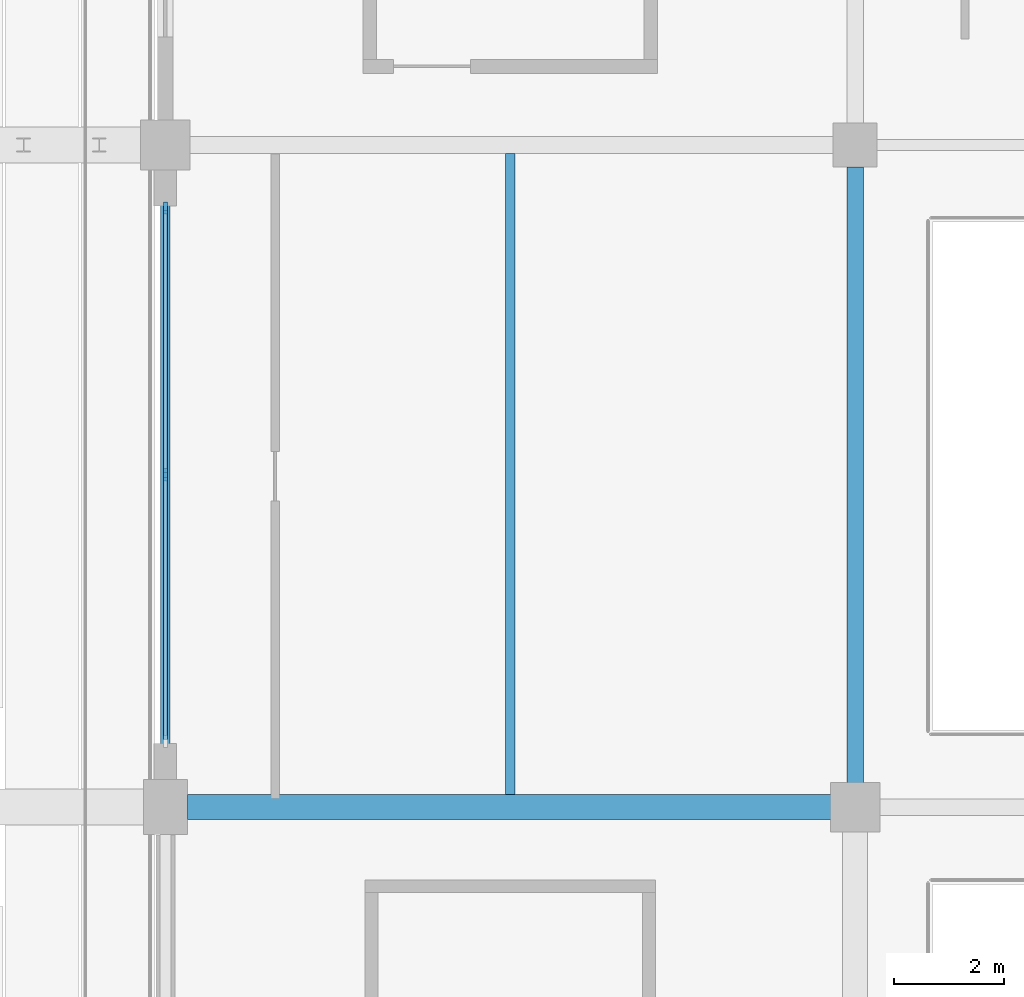
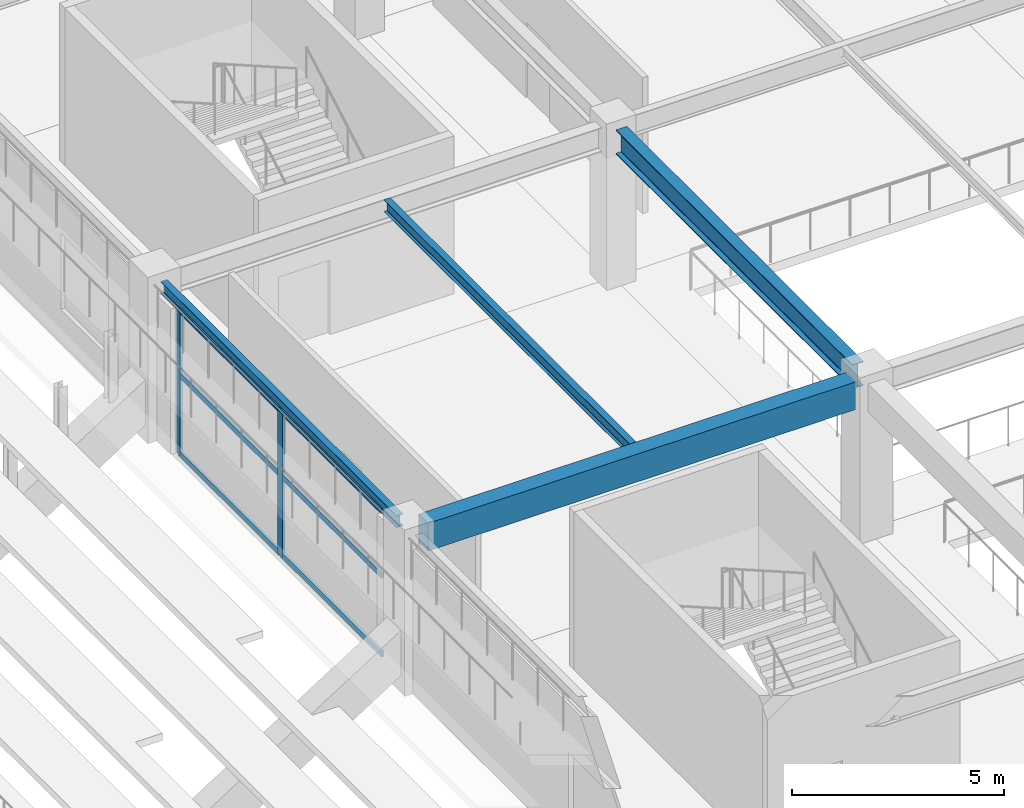
# One storey, part 41 of 134: 8 members, 4 beams, 1 element without a shape of its own.
"""IFC4 building model written with IfcOpenShell, lengths in metres."""

from ifc_helpers import new_model, si_unit, direction, frame, origin, origin_2d, place, context, subcontext, project, spatial, rectangle, i_section, extrude, material, layer, layer_set, material_profile, profile_set, type_object, element, aggregate, save


model = new_model("IFC4")

# Units and contexts
model_context = context("Model", 3, precision=1e-05, world=origin(), true_north=direction((0.0, 1.0)))
body_context = subcontext(model_context, "Body", "Model", "MODEL_VIEW")
ifc_project = project(units=[si_unit("LENGTHUNIT", "METRE"), si_unit("AREAUNIT", "SQUARE_METRE"), si_unit("VOLUMEUNIT", "CUBIC_METRE"), si_unit("PLANEANGLEUNIT", "RADIAN"), si_unit("MASSUNIT", "GRAM", prefix="KILO")], contexts=[model_context])

# Site, building, storey
site_placement = place(None, origin())
site = spatial("IfcSite", under=ifc_project, at=site_placement, CompositionType="ELEMENT")
building_placement = place(site_placement, origin())
building = spatial("IfcBuilding", under=site, at=building_placement, Name="Kazenohara Klinker Stadium", CompositionType="ELEMENT")
storey_placement = place(building_placement, frame((0.0, 0.0, 5.39990234375)))
storey = spatial("IfcBuildingStorey", under=building, at=storey_placement, Name="L01", CompositionType="ELEMENT", Elevation=5.39990234375)

# Beams
ifc_material_1 = material(Name="Steel S355", Category="steel")
ifc_material_profile_1 = material_profile(ifc_material_1, i_section(OverallWidth=0.175048828125, OverallDepth=0.35009765625, WebThickness=0.007080078125, FlangeThickness=0.010986328125, FilletRadius=0.012939453125, at=origin_2d()), Name="H-350x175x7x11")
ifc_profile_set_1 = profile_set([ifc_material_profile_1], Name="Steel S355")
beam_type_1 = type_object("IfcBeamType", Name="BM-JST04", PredefinedType="JOIST", material=ifc_profile_set_1)
beam_1_placement = place(storey_placement, frame((181.25, 84.22509765625, 4.375), z_axis=(0.0, 1.0, 0.0), x_axis=(-1.0, 0.0, 0.0)))
element("IfcBeam", 1, at=beam_1_placement, inside=storey, type_object=beam_type_1, Name="Secondary floor joist SJ04 L01 15/H", PredefinedType="JOIST", context=body_context, shape_type="SweptSolid", body=[
    extrude(i_section(OverallWidth=0.175048828125, OverallDepth=0.35009765625, WebThickness=0.007080078125, FlangeThickness=0.010986328125, FilletRadius=0.012939453125, at=origin_2d()), origin(), (0.0, 0.0, 1.0), 11.625),
])
ifc_material_2 = material(Name="Concrete C40/50", Category="concrete")
ifc_material_profile_2 = material_profile(ifc_material_2, rectangle(XDim=0.449951171875, YDim=0.800048828125, at=origin_2d()), Name="RC-BM-450x800")
ifc_profile_set_2 = profile_set([ifc_material_profile_2], Name="Concrete C40/50")
beam_type_2 = type_object("IfcBeamType", Name="BM-RC03", PredefinedType="BEAM", material=ifc_profile_set_2)
beam_2_placement = place(storey_placement, frame((175.39990234375, 84.0, 4.150146484375), z_axis=(1.0, 0.0, 0.0), x_axis=(0.0, 1.0, 0.0)))
element("IfcBeam", 2, at=beam_2_placement, inside=storey, type_object=beam_type_2, Name="Primary girder BG03 L01 15-16/H", PredefinedType="BEAM", context=body_context, shape_type="SweptSolid", body=[
    extrude(rectangle(XDim=0.449951171875, YDim=0.800048828125, at=origin_2d()), origin(), (0.0, 0.0, 1.0), 11.68017578125),
])
ifc_material_profile_3 = material_profile(ifc_material_1, i_section(OverallWidth=0.175048828125, OverallDepth=0.35009765625, WebThickness=0.007080078125, FlangeThickness=0.010986328125, FilletRadius=0.012939453125, at=origin_2d()), Name="H-350x175x7x11")
ifc_profile_set_3 = profile_set([ifc_material_profile_3], Name="Steel S355")
beam_type_3 = type_object("IfcBeamType", Name="BM-SPD02", PredefinedType="SPANDREL", material=ifc_profile_set_3)
beam_3_placement = place(storey_placement, frame((175.0, 84.419921875, 4.375), z_axis=(0.0, 1.0, 0.0), x_axis=(-1.0, 0.0, 0.0)))
element("IfcBeam", 3, at=beam_3_placement, inside=storey, type_object=beam_type_3, Name="Primary girder SP02 L01 15/H-J", PredefinedType="SPANDREL", context=body_context, shape_type="SweptSolid", body=[
    extrude(i_section(OverallWidth=0.175048828125, OverallDepth=0.35009765625, WebThickness=0.007080078125, FlangeThickness=0.010986328125, FilletRadius=0.012939453125, at=origin_2d()), origin(), (0.0, 0.0, 1.0), 11.16015625),
])
ifc_material_profile_4 = material_profile(ifc_material_1, i_section(OverallWidth=0.300048828125, OverallDepth=0.699951171875, WebThickness=0.012939453125, FlangeThickness=0.02392578125, FilletRadius=0.02197265625, at=origin_2d()), Name="H-700x300x13x24")
ifc_profile_set_4 = profile_set([ifc_material_profile_4], Name="Steel S355")
beam_type_4 = type_object("IfcBeamType", Name="BM-ST03", PredefinedType="BEAM", material=ifc_profile_set_4)
beam_4_placement = place(storey_placement, frame((187.5, 84.419921875, 4.2001953125), z_axis=(0.0, 1.0, 0.0), x_axis=(-1.0, 0.0, 0.0)))
element("IfcBeam", 4, at=beam_4_placement, inside=storey, type_object=beam_type_4, Name="Primary girder SB03 L01 16/H-J", PredefinedType="BEAM", context=body_context, shape_type="SweptSolid", body=[
    extrude(i_section(OverallWidth=0.300048828125, OverallDepth=0.699951171875, WebThickness=0.012939453125, FlangeThickness=0.02392578125, FilletRadius=0.02197265625, at=origin_2d()), origin(), (0.0, 0.0, 1.0), 11.18017578125),
])

# Curtain wall, members
ifc_material_3 = material(Name="Anodised aluminium and triple glazing", Category="aluminium")
ifc_layer = layer(ifc_material_3, 0.159912109375)
ifc_layer_set = layer_set([ifc_layer], Name="Anodised aluminium and triple glazing")
curtain_wall_type = type_object("IfcCurtainWallType", Name="CW-SYS-01", PredefinedType="USERDEFINED", material=ifc_layer_set)
curtain_wall_placement = place(storey_placement, origin())
curtain_wall = element("IfcCurtainWall", 5, at=curtain_wall_placement, inside=storey, type_object=curtain_wall_type, Name="Unitised facade curtain wall CW01 L01 Y14-7", ObjectType="UNITISED CURTAIN WALL", PredefinedType="USERDEFINED")
ifc_material_4 = material(Name="Anodised aluminium 6063-T6", Category="aluminium")
ifc_material_profile_5 = material_profile(ifc_material_4, rectangle(XDim=0.074951171875, YDim=0.219970703125, at=origin_2d()), Name="ALU-MUL-75x220")
ifc_profile_set_5 = profile_set([ifc_material_profile_5], Name="Anodised aluminium 6063-T6")
member_type_1 = type_object("IfcMemberType", Name="CW-MUL-220", PredefinedType="MULLION", material=ifc_profile_set_5)
member_1_placement = place(storey_placement, frame((175.0, 90.02490234375, 0.0), z_axis=(0.0, 0.0, 1.0), x_axis=(-1.0, 0.0, 0.0)))
member_1 = element("IfcMember", 6, at=member_1_placement, type_object=member_type_1, Name="CW01 mullion 2", PredefinedType="MULLION", context=body_context, shape_type="SweptSolid", body=[
    extrude(rectangle(XDim=0.074951171875, YDim=0.219970703125, at=origin_2d()), origin(), (0.0, 0.0, 1.0), 4.2001953125),
])
member_2_placement = place(storey_placement, frame((175.0, 94.8583984375, 0.0), z_axis=(0.0, 0.0, 1.0), x_axis=(-1.0, 0.0, 0.0)))
member_2 = element("IfcMember", 7, at=member_2_placement, type_object=member_type_1, Name="CW01 mullion 3", PredefinedType="MULLION", context=body_context, shape_type="SweptSolid", body=[
    extrude(rectangle(XDim=0.074951171875, YDim=0.219970703125, at=origin_2d()), origin(), (0.0, 0.0, 1.0), 4.2001953125),
])
ifc_material_profile_6 = material_profile(ifc_material_4, rectangle(XDim=0.074951171875, YDim=0.159912109375, at=origin_2d()), Name="ALU-TRN-75x160")
ifc_profile_set_6 = profile_set([ifc_material_profile_6], Name="Anodised aluminium 6063-T6")
member_type_2 = type_object("IfcMemberType", Name="CW-TRN-160", PredefinedType="USERDEFINED", material=ifc_profile_set_6)
member_3_placement = place(storey_placement, frame((175.0, 85.22900390625, 0.03759765625), z_axis=(0.0, 1.0, 0.0), x_axis=(-1.0, 0.0, 0.0)))
member_3 = element("IfcMember", 8, at=member_3_placement, type_object=member_type_2, Name="CW01 transom 1.1", ObjectType="TRANSOM", PredefinedType="USERDEFINED", context=body_context, shape_type="SweptSolid", body=[
    extrude(rectangle(XDim=0.074951171875, YDim=0.159912109375, at=origin_2d()), origin(), (0.0, 0.0, 1.0), 4.758544921875),
])
member_4_placement = place(storey_placement, frame((175.0, 85.22900390625, 2.31005859375), z_axis=(0.0, 1.0, 0.0), x_axis=(-1.0, 0.0, 0.0)))
member_4 = element("IfcMember", 9, at=member_4_placement, type_object=member_type_2, Name="CW01 transom 1.2", ObjectType="TRANSOM", PredefinedType="USERDEFINED", context=body_context, shape_type="SweptSolid", body=[
    extrude(rectangle(XDim=0.074951171875, YDim=0.159912109375, at=origin_2d()), origin(), (0.0, 0.0, 1.0), 4.758544921875),
])
member_5_placement = place(storey_placement, frame((175.0, 85.22900390625, 4.16259765625), z_axis=(0.0, 1.0, 0.0), x_axis=(-1.0, 0.0, 0.0)))
member_5 = element("IfcMember", 10, at=member_5_placement, type_object=member_type_2, Name="CW01 transom 1.3", ObjectType="TRANSOM", PredefinedType="USERDEFINED", context=body_context, shape_type="SweptSolid", body=[
    extrude(rectangle(XDim=0.074951171875, YDim=0.159912109375, at=origin_2d()), origin(), (0.0, 0.0, 1.0), 4.758544921875),
])
member_6_placement = place(storey_placement, frame((175.0, 90.0625, 0.03759765625), z_axis=(0.0, 1.0, 0.0), x_axis=(-1.0, 0.0, 0.0)))
member_6 = element("IfcMember", 11, at=member_6_placement, type_object=member_type_2, Name="CW01 transom 2.1", ObjectType="TRANSOM", PredefinedType="USERDEFINED", context=body_context, shape_type="SweptSolid", body=[
    extrude(rectangle(XDim=0.074951171875, YDim=0.159912109375, at=origin_2d()), origin(), (0.0, 0.0, 1.0), 4.758544921875),
])
member_7_placement = place(storey_placement, frame((175.0, 90.0625, 2.31005859375), z_axis=(0.0, 1.0, 0.0), x_axis=(-1.0, 0.0, 0.0)))
member_7 = element("IfcMember", 12, at=member_7_placement, type_object=member_type_2, Name="CW01 transom 2.2", ObjectType="TRANSOM", PredefinedType="USERDEFINED", context=body_context, shape_type="SweptSolid", body=[
    extrude(rectangle(XDim=0.074951171875, YDim=0.159912109375, at=origin_2d()), origin(), (0.0, 0.0, 1.0), 4.758544921875),
])
member_8_placement = place(storey_placement, frame((175.0, 90.0625, 4.16259765625), z_axis=(0.0, 1.0, 0.0), x_axis=(-1.0, 0.0, 0.0)))
member_8 = element("IfcMember", 13, at=member_8_placement, type_object=member_type_2, Name="CW01 transom 2.3", ObjectType="TRANSOM", PredefinedType="USERDEFINED", context=body_context, shape_type="SweptSolid", body=[
    extrude(rectangle(XDim=0.074951171875, YDim=0.159912109375, at=origin_2d()), origin(), (0.0, 0.0, 1.0), 4.758544921875),
])
aggregate(curtain_wall, [member_1, member_2, member_3, member_4, member_5, member_6, member_7, member_8])

save(model, "model.ifc")
